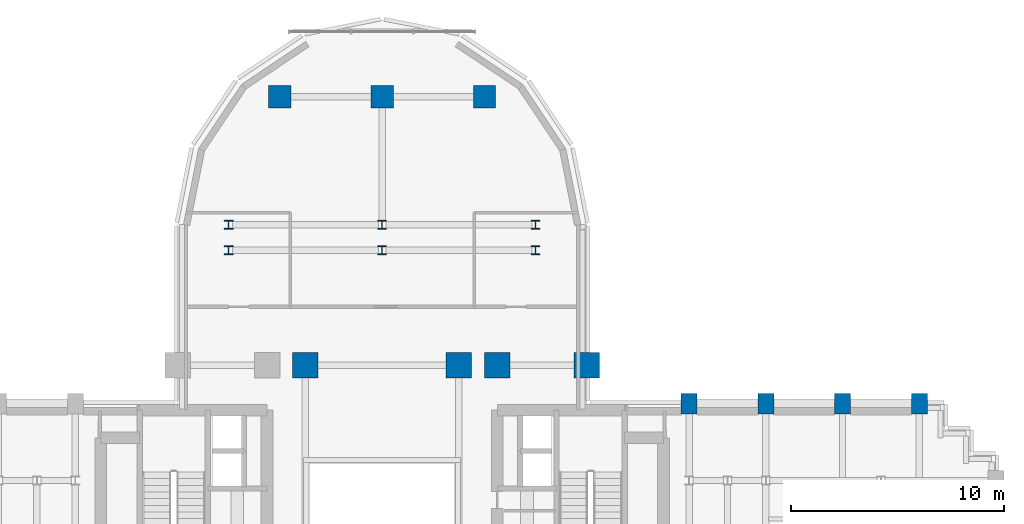
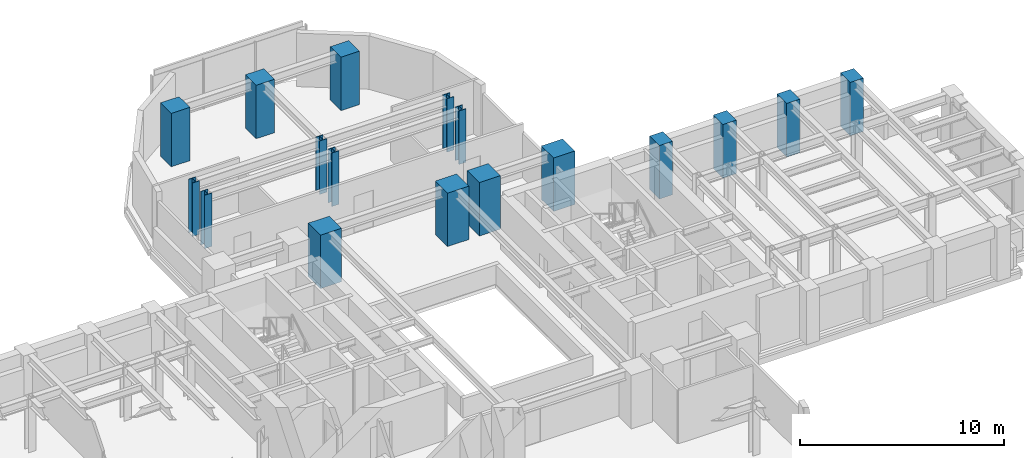
# One storey, part 2 of 16: 17 columns.
"""IFC4 building model written with IfcOpenShell, lengths in metres."""

from ifc_helpers import new_model, si_unit, direction, frame, origin, origin_2d, place, context, subcontext, project, spatial, rectangle, i_section, extrude, source, transform, mapped, material, material_profile, profile_set, type_object, element, save


model = new_model("IFC4")

# Units and contexts
model_context = context("Model", 3, precision=1e-05, world=origin(), true_north=direction((0.0, 1.0)))
body_context = subcontext(model_context, "Body", "Model", "MODEL_VIEW")
ifc_project = project(units=[si_unit("LENGTHUNIT", "METRE"), si_unit("AREAUNIT", "SQUARE_METRE"), si_unit("VOLUMEUNIT", "CUBIC_METRE"), si_unit("PLANEANGLEUNIT", "RADIAN"), si_unit("MASSUNIT", "GRAM", prefix="KILO")], contexts=[model_context])

# Site, building, storey
site_placement = place(None, origin())
site = spatial("IfcSite", under=ifc_project, at=site_placement, CompositionType="ELEMENT")
building_placement = place(site_placement, origin())
building = spatial("IfcBuilding", under=site, at=building_placement, Name="Keilestroom Media Tower", CompositionType="ELEMENT")
storey_placement = place(building_placement, frame((0.0, 0.0, 64.60009765625)))
storey = spatial("IfcBuildingStorey", under=building, at=storey_placement, Name="L16", CompositionType="ELEMENT", Elevation=64.60009765625)

# Columns
ifc_material_1 = material(Name="Precast concrete C40/50", Category="concrete")
ifc_material_profile_1 = material_profile(ifc_material_1, rectangle(XDim=0.75, YDim=0.949951171875, at=origin_2d()), Name="PC 950x750")
ifc_profile_set_1 = profile_set([ifc_material_profile_1], Name="Precast concrete C40/50")
column_type_1 = type_object("IfcColumnType", Name="Structural-Column-PC-950x750", PredefinedType="COLUMN", material=ifc_profile_set_1)
shared_shape_1 = source(origin(), body_context, "Body", "SweptSolid", [
    extrude(rectangle(XDim=0.75, YDim=0.949951171875, at=origin_2d()), origin(), (0.0, 0.0, 1.0), 3.199951171875),
])
for number, where, z_axis, x_axis, name in (
    (1, (14.39990234375, 7.199951171875, 0.0), (0.0, 0.0, 1.0), (1.0, 0.0, 0.0), "L16 Column PC-1 (+14.4,+7.2)"),
    (2, (18.0, 7.199951171875, 0.0), (0.0, 0.0, 1.0), (1.0, 0.0, 0.0), "L16 Column PC-1 (+18.0,+7.2)"),
    (3, (21.60009765625, 7.199951171875, 0.0), (0.0, 0.0, 1.0), (1.0, 0.0, 0.0), "L16 Column PC-1 (+21.6,+7.2)"),
    (4, (25.199951171875, 7.199951171875, 0.0), (0.0, 0.0, 1.0), (1.0, 0.0, 0.0), "L16 Column PC-1 (+25.2,+7.2)"),
):
    element("IfcColumn", number, at=place(storey_placement, frame(where, z_axis=z_axis, x_axis=x_axis)), inside=storey, type_object=column_type_1, Name=name, PredefinedType="COLUMN", context=body_context, shape_type="MappedRepresentation", body=[
        mapped(shared_shape_1, transform((0.0, 0.0, 0.0), x_axis=(1.0, 0.0, 0.0), y_axis=(0.0, 1.0, 0.0), z_axis=(0.0, 0.0, 1.0), scale=1.0)),
    ])
ifc_material_2 = material(Name="Steel S460", Category="steel")
ifc_material_profile_2 = material_profile(ifc_material_2, i_section(OverallWidth=0.404052734375, OverallDepth=0.406982421875, WebThickness=0.02197265625, FlangeThickness=0.035400390625, at=origin_2d()), Name="HD 400x347")
ifc_profile_set_2 = profile_set([ifc_material_profile_2], Name="Steel S460")
column_type_2 = type_object("IfcColumnType", Name="Structural-Column-HD-400x347", PredefinedType="COLUMN", material=ifc_profile_set_2)
shared_shape_2 = source(origin(), body_context, "Body", "SweptSolid", [
    extrude(i_section(OverallWidth=0.404052734375, OverallDepth=0.406982421875, WebThickness=0.02197265625, FlangeThickness=0.035400390625, at=origin_2d()), origin(), (0.0, 0.0, 1.0), 3.199951171875),
])
for number, where, z_axis, x_axis, name in (
    (5, (-7.199951171875, 14.39990234375, 0.0), (0.0, 0.0, 1.0), (1.0, 0.0, 0.0), "L16 Column SC-2 (-7.2,+14.4)"),
    (6, (-7.199951171875, 15.60009765625, 0.0), (0.0, 0.0, 1.0), (1.0, 0.0, 0.0), "L16 Column SC-2 (-7.2,+15.6)"),
    (7, (0.0, 14.39990234375, 0.0), (0.0, 0.0, 1.0), (1.0, 0.0, 0.0), "L16 Column SC-2 (+0.0,+14.4)"),
    (8, (0.0, 15.60009765625, 0.0), (0.0, 0.0, 1.0), (1.0, 0.0, 0.0), "L16 Column SC-2 (+0.0,+15.6)"),
    (9, (7.199951171875, 14.39990234375, 0.0), (0.0, 0.0, 1.0), (1.0, 0.0, 0.0), "L16 Column SC-2 (+7.2,+14.4)"),
    (10, (7.199951171875, 15.60009765625, 0.0), (0.0, 0.0, 1.0), (1.0, 0.0, 0.0), "L16 Column SC-2 (+7.2,+15.6)"),
):
    element("IfcColumn", number, at=place(storey_placement, frame(where, z_axis=z_axis, x_axis=x_axis)), inside=storey, type_object=column_type_2, Name=name, PredefinedType="COLUMN", context=body_context, shape_type="MappedRepresentation", body=[
        mapped(shared_shape_2, transform((0.0, 0.0, 0.0), x_axis=(1.0, 0.0, 0.0), y_axis=(0.0, 1.0, 0.0), z_axis=(0.0, 0.0, 1.0), scale=1.0)),
    ])
ifc_material_3 = material(Name="Concrete C70/85", Category="concrete")
ifc_material_profile_3 = material_profile(ifc_material_3, rectangle(XDim=1.199951171875, YDim=1.199951171875, at=origin_2d()), Name="RC 1200x1200")
ifc_profile_set_3 = profile_set([ifc_material_profile_3], Name="Concrete C70/85")
column_type_3 = type_object("IfcColumnType", Name="Structural-Column-RC-1200x1200", PredefinedType="COLUMN", material=ifc_profile_set_3)
shared_shape_3 = source(origin(), body_context, "Body", "SweptSolid", [
    extrude(rectangle(XDim=1.199951171875, YDim=1.199951171875, at=origin_2d()), origin(), (0.0, 0.0, 1.0), 3.199951171875),
])
for number, where, z_axis, x_axis, name in (
    (11, (-3.60009765625, 9.0, 0.0), (0.0, 0.0, 1.0), (1.0, 0.0, 0.0), "L16 Column MC-2 (-3.6,+9.0)"),
    (12, (3.60009765625, 9.0, 0.0), (0.0, 0.0, 1.0), (1.0, 0.0, 0.0), "L16 Column MC-2 (+3.6,+9.0)"),
    (13, (5.39990234375, 9.0, 0.0), (0.0, 0.0, 1.0), (1.0, 0.0, 0.0), "L16 Column MC-2 (+5.4,+9.0)"),
    (14, (9.60009765625, 9.0, 0.0), (0.0, 0.0, 1.0), (1.0, 0.0, 0.0), "L16 Column MC-2 (+9.6,+9.0)"),
):
    element("IfcColumn", number, at=place(storey_placement, frame(where, z_axis=z_axis, x_axis=x_axis)), inside=storey, type_object=column_type_3, Name=name, PredefinedType="COLUMN", context=body_context, shape_type="MappedRepresentation", body=[
        mapped(shared_shape_3, transform((0.0, 0.0, 0.0), x_axis=(1.0, 0.0, 0.0), y_axis=(0.0, 1.0, 0.0), z_axis=(0.0, 0.0, 1.0), scale=1.0)),
    ])
ifc_material_4 = material(Name="Concrete C55/67", Category="concrete")
ifc_material_profile_4 = material_profile(ifc_material_4, rectangle(XDim=1.050048828125, YDim=1.050048828125, at=origin_2d()), Name="RC 1050x1050")
ifc_profile_set_4 = profile_set([ifc_material_profile_4], Name="Concrete C55/67")
column_type_4 = type_object("IfcColumnType", Name="Structural-Column-RC-1050x1050", PredefinedType="COLUMN", material=ifc_profile_set_4)
shared_shape_4 = source(origin(), body_context, "Body", "SweptSolid", [
    extrude(rectangle(XDim=1.050048828125, YDim=1.050048828125, at=origin_2d()), origin(), (0.0, 0.0, 1.0), 3.199951171875),
])
for number, where, z_axis, x_axis, name in (
    (15, (-4.800048828125, 21.60009765625, 0.0), (0.0, 0.0, 1.0), (1.0, 0.0, 0.0), "L16 Column MC-3 (-4.8,+21.6)"),
    (16, (0.0, 21.60009765625, 0.0), (0.0, 0.0, 1.0), (1.0, 0.0, 0.0), "L16 Column MC-3 (+0.0,+21.6)"),
    (17, (4.800048828125, 21.60009765625, 0.0), (0.0, 0.0, 1.0), (1.0, 0.0, 0.0), "L16 Column MC-3 (+4.8,+21.6)"),
):
    element("IfcColumn", number, at=place(storey_placement, frame(where, z_axis=z_axis, x_axis=x_axis)), inside=storey, type_object=column_type_4, Name=name, PredefinedType="COLUMN", context=body_context, shape_type="MappedRepresentation", body=[
        mapped(shared_shape_4, transform((0.0, 0.0, 0.0), x_axis=(1.0, 0.0, 0.0), y_axis=(0.0, 1.0, 0.0), z_axis=(0.0, 0.0, 1.0), scale=1.0)),
    ])

save(model, "model.ifc")
